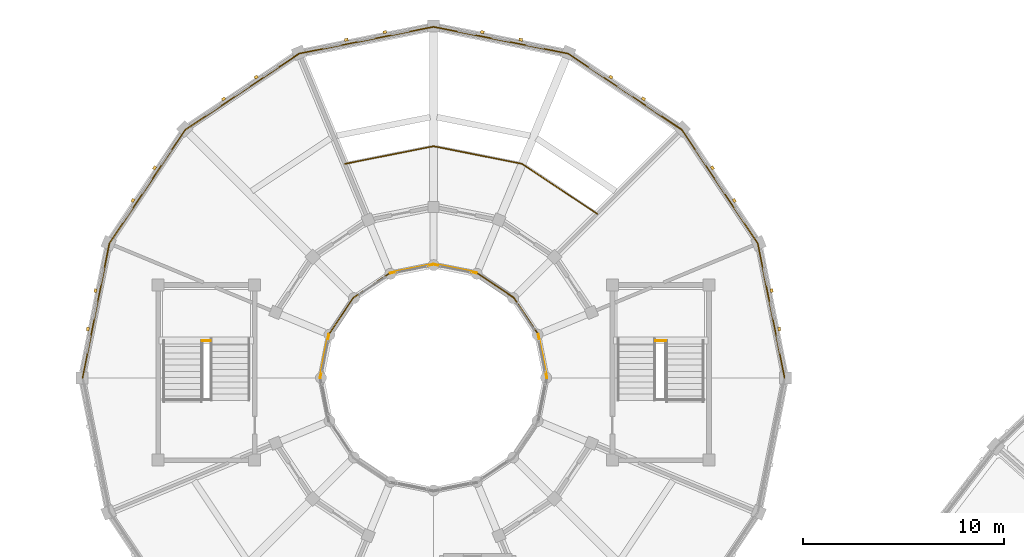
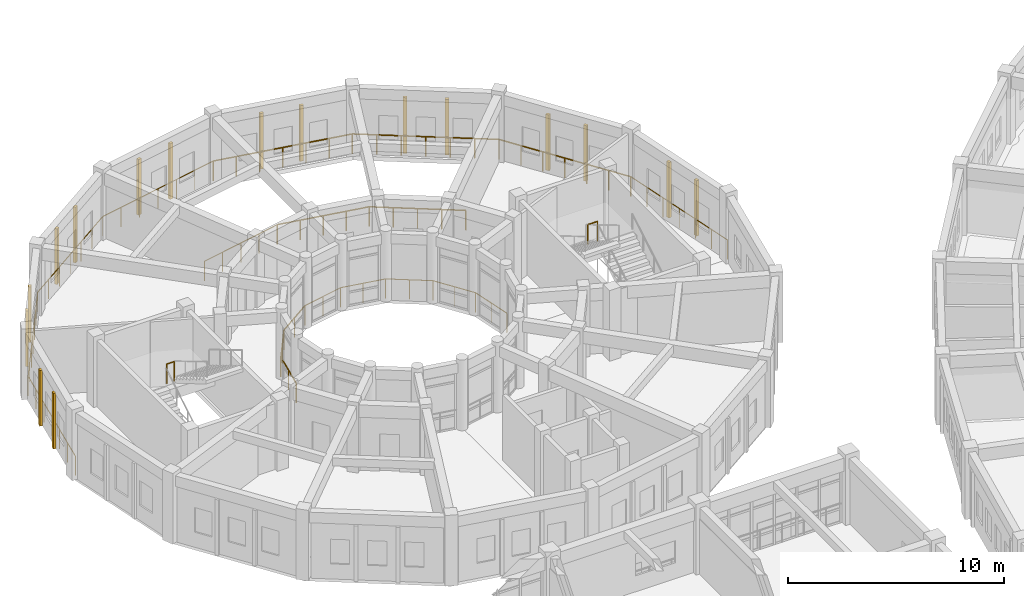
# One storey, part 150 of 159: 21 railings, 16 coverings.
"""IFC4 building model written with IfcOpenShell, lengths in metres."""

from ifc_helpers import new_model, si_unit, direction, frame, origin, origin_2d, place, context, subcontext, project, spatial, rectangle, circle, extrude, material, layer, layer_set, type_object, element, save


model = new_model("IFC4")

# Units and contexts
model_context = context("Model", 3, precision=1e-05, world=origin(), true_north=direction((0.0, 1.0)))
body_context = subcontext(model_context, "Body", "Model", "MODEL_VIEW")
ifc_project = project(units=[si_unit("LENGTHUNIT", "METRE"), si_unit("AREAUNIT", "SQUARE_METRE"), si_unit("VOLUMEUNIT", "CUBIC_METRE"), si_unit("PLANEANGLEUNIT", "RADIAN"), si_unit("MASSUNIT", "GRAM", prefix="KILO")], contexts=[model_context])

# Site, building, storey
site_placement = place(None, origin())
site = spatial("IfcSite", under=ifc_project, at=site_placement, CompositionType="ELEMENT")
building_placement = place(site_placement, origin())
building = spatial("IfcBuilding", under=site, at=building_placement, Name="Celadon Cloister-Ring School", CompositionType="ELEMENT")
storey_placement = place(building_placement, frame((0.0, 0.0, 4.5)))
storey = spatial("IfcBuildingStorey", under=building, at=storey_placement, Name="L01", CompositionType="ELEMENT", Elevation=4.5)

# Coverings
ifc_material_1 = material(Name="Perforated terracotta clay brick masonry", Category="masonry")
ifc_layer = layer(ifc_material_1, 0.139892578125)
ifc_layer_set = layer_set([ifc_layer], Name="Perforated terracotta clay brick masonry")
covering_type = type_object("IfcCoveringType", Name="CV-SC1", PredefinedType="CLADDING", material=ifc_layer_set)
for number, where, z_axis, x_axis, name in (
    (1, (37.01708984375, 101.339111328125, 0.0), (0.0, 0.0, 1.0), (0.195141675546, -0.980775064153, 0.0), "Brick Screen Rib 0470"),
    (2, (37.39794921875, 99.427001953125, 0.0), (0.0, 0.0, 1.0), (0.195141675546, -0.980775064153, 0.0), "Brick Screen Rib 0471"),
    (3, (34.075927734375, 107.444091796875, 0.0), (0.0, 0.0, 1.0), (0.55567181205, -0.831401730389, 0.0), "Brick Screen Rib 0472"),
    (4, (35.159912109375, 105.822998046875, 0.0), (0.0, 0.0, 1.0), (0.55567181205, -0.831401730389, 0.0), "Brick Screen Rib 0473"),
    (5, (29.02294921875, 111.9599609375, 0.0), (0.0, 0.0, 1.0), (0.831401730389, -0.55567181205, 0.0), "Brick Screen Rib 0474"),
    (6, (30.64404296875, 110.8759765625, 0.0), (0.0, 0.0, 1.0), (0.831401730389, -0.55567181205, 0.0), "Brick Screen Rib 0475"),
    (7, (22.626953125, 114.197998046875, 0.0), (0.0, 0.0, 1.0), (0.980775064153, -0.195141675546, 0.0), "Brick Screen Rib 0476"),
    (8, (24.5390625, 113.81689453125, 0.0), (0.0, 0.0, 1.0), (0.980775064153, -0.195141675546, 0.0), "Brick Screen Rib 0477"),
    (9, (15.861083984375, 113.81689453125, 0.0), (0.0, 0.0, 1.0), (0.980775064153, 0.195141675546, 0.0), "Brick Screen Rib 0478"),
    (10, (17.77294921875, 114.197998046875, 0.0), (0.0, 0.0, 1.0), (0.980775064153, 0.195141675546, 0.0), "Brick Screen Rib 0479"),
    (11, (9.756103515625, 110.8759765625, 0.0), (0.0, 0.0, 1.0), (0.831401730389, 0.55567181205, 0.0), "Brick Screen Rib 0480"),
    (12, (11.376953125, 111.9599609375, 0.0), (0.0, 0.0, 1.0), (0.831401730389, 0.55567181205, 0.0), "Brick Screen Rib 0481"),
    (13, (5.239990234375, 105.822998046875, 0.0), (0.0, 0.0, 1.0), (0.55567181205, 0.831401730389, 0.0), "Brick Screen Rib 0482"),
    (14, (6.323974609375, 107.444091796875, 0.0), (0.0, 0.0, 1.0), (0.55567181205, 0.831401730389, 0.0), "Brick Screen Rib 0483"),
    (15, (3.001953125, 99.427001953125, 0.0), (0.0, 0.0, 1.0), (0.195141675546, 0.980775064153, 0.0), "Brick Screen Rib 0484"),
    (16, (3.383056640625, 101.339111328125, 0.0), (0.0, 0.0, 1.0), (0.195141675546, 0.980775064153, 0.0), "Brick Screen Rib 0485"),
):
    element("IfcCovering", number, at=place(storey_placement, frame(where, z_axis=z_axis, x_axis=x_axis)), inside=storey, type_object=covering_type, Name=name, PredefinedType="CLADDING", context=body_context, shape_type="SweptSolid", body=[
        extrude(rectangle(XDim=0.179931640625, YDim=0.139892578125, at=origin_2d()), origin(), (0.0, 0.0, 1.0), 3.152099609375),
    ])

# Railings
ifc_material_2 = material(Name="Structural steel S355JR", Category="steel")
railing_type_1 = type_object("IfcRailingType", Name="RL-BL1", PredefinedType="BALUSTRADE", material=ifc_material_2)
railing_1_placement = place(storey_placement, frame((37.659912109375, 97.0, 0.0)))
element("IfcRailing", 17, at=railing_1_placement, inside=storey, type_object=railing_type_1, Name="Terrace Balustrade 0217", PredefinedType="BALUSTRADE", context=body_context, shape_type="SweptSolid", body=[
    extrude(circle(Radius=0.02392578125, at=origin_2d()), frame((0.0, 0.0, 1.09619140625), z_axis=(-0.19505472673, 0.980792360074, 0.0), x_axis=(-0.980792360074, -0.19505472673, 0.0)), (0.0, 0.0, 1.0), 6.812744140625),
    extrude(circle(Radius=0.02099609375, at=origin_2d()), origin(), (0.0, 0.0, 1.0), 1.072021484375),
    extrude(circle(Radius=0.02099609375, at=origin_2d()), frame((-0.221435546875, 1.11376953125, 0.0)), (0.0, 0.0, 1.0), 1.072021484375),
    extrude(circle(Radius=0.02099609375, at=origin_2d()), frame((-0.44287109375, 2.227294921875, 0.0)), (0.0, 0.0, 1.0), 1.072021484375),
    extrude(circle(Radius=0.02099609375, at=origin_2d()), frame((-0.66455078125, 3.3408203125, 0.0)), (0.0, 0.0, 1.0), 1.072021484375),
    extrude(circle(Radius=0.02099609375, at=origin_2d()), frame((-0.885986328125, 4.45458984375, 0.0)), (0.0, 0.0, 1.0), 1.072021484375),
    extrude(circle(Radius=0.02099609375, at=origin_2d()), frame((-1.107421875, 5.568359375, 0.0)), (0.0, 0.0, 1.0), 1.072021484375),
    extrude(circle(Radius=0.02099609375, at=origin_2d()), frame((-1.328857421875, 6.681884765625, 0.0)), (0.0, 0.0, 1.0), 1.072021484375),
])
railing_2_placement = place(storey_placement, frame((36.3310546875, 103.681884765625, 0.0)))
element("IfcRailing", 18, at=railing_2_placement, inside=storey, type_object=railing_type_1, Name="Terrace Balustrade 0218", PredefinedType="BALUSTRADE", context=body_context, shape_type="SweptSolid", body=[
    extrude(circle(Radius=0.02392578125, at=origin_2d()), frame((0.0, 0.0, 1.09619140625), z_axis=(-0.555626116577, 0.831432269387, 0.0), x_axis=(-0.831432269387, -0.555626116577, 0.0)), (0.0, 0.0, 1.0), 6.8125),
    extrude(circle(Radius=0.02099609375, at=origin_2d()), origin(), (0.0, 0.0, 1.0), 1.072021484375),
    extrude(circle(Radius=0.02099609375, at=origin_2d()), frame((-0.630859375, 0.944091796875, 0.0)), (0.0, 0.0, 1.0), 1.072021484375),
    extrude(circle(Radius=0.02099609375, at=origin_2d()), frame((-1.26171875, 1.887939453125, 0.0)), (0.0, 0.0, 1.0), 1.072021484375),
    extrude(circle(Radius=0.02099609375, at=origin_2d()), frame((-1.892578125, 2.83203125, 0.0)), (0.0, 0.0, 1.0), 1.072021484375),
    extrude(circle(Radius=0.02099609375, at=origin_2d()), frame((-2.5234375, 3.776123046875, 0.0)), (0.0, 0.0, 1.0), 1.072021484375),
    extrude(circle(Radius=0.02099609375, at=origin_2d()), frame((-3.154296875, 4.719970703125, 0.0)), (0.0, 0.0, 1.0), 1.072021484375),
    extrude(circle(Radius=0.02099609375, at=origin_2d()), frame((-3.78515625, 5.6640625, 0.0)), (0.0, 0.0, 1.0), 1.072021484375),
])
railing_3_placement = place(storey_placement, frame((32.5458984375, 109.345947265625, 0.0)))
element("IfcRailing", 19, at=railing_3_placement, inside=storey, type_object=railing_type_1, Name="Terrace Balustrade 0219", PredefinedType="BALUSTRADE", context=body_context, shape_type="SweptSolid", body=[
    extrude(circle(Radius=0.02392578125, at=origin_2d()), frame((0.0, 0.0, 1.09619140625), z_axis=(-0.831421205096, 0.555642672693, 0.0), x_axis=(-0.555642672693, -0.831421205096, 0.0)), (0.0, 0.0, 1.0), 6.812255859375),
    extrude(circle(Radius=0.02099609375, at=origin_2d()), origin(), (0.0, 0.0, 1.0), 1.072021484375),
    extrude(circle(Radius=0.02099609375, at=origin_2d()), frame((-0.94384765625, 0.630859375, 0.0)), (0.0, 0.0, 1.0), 1.072021484375),
    extrude(circle(Radius=0.02099609375, at=origin_2d()), frame((-1.887939453125, 1.26171875, 0.0)), (0.0, 0.0, 1.0), 1.072021484375),
    extrude(circle(Radius=0.02099609375, at=origin_2d()), frame((-2.83203125, 1.892578125, 0.0)), (0.0, 0.0, 1.0), 1.072021484375),
    extrude(circle(Radius=0.02099609375, at=origin_2d()), frame((-3.77587890625, 2.5234375, 0.0)), (0.0, 0.0, 1.0), 1.072021484375),
    extrude(circle(Radius=0.02099609375, at=origin_2d()), frame((-4.7197265625, 3.154296875, 0.0)), (0.0, 0.0, 1.0), 1.072021484375),
    extrude(circle(Radius=0.02099609375, at=origin_2d()), frame((-5.663818359375, 3.78515625, 0.0)), (0.0, 0.0, 1.0), 1.072021484375),
])
railing_4_placement = place(storey_placement, frame((26.882080078125, 113.131103515625, 0.0)))
element("IfcRailing", 20, at=railing_4_placement, inside=storey, type_object=railing_type_1, Name="Terrace Balustrade 0220", PredefinedType="BALUSTRADE", context=body_context, shape_type="SweptSolid", body=[
    extrude(circle(Radius=0.02392578125, at=origin_2d()), frame((0.0, 0.0, 1.09619140625), z_axis=(-0.980793723427, 0.195047871268, 0.0), x_axis=(-0.195047871268, -0.980793723427, 0.0)), (0.0, 0.0, 1.0), 6.81298828125),
    extrude(circle(Radius=0.02099609375, at=origin_2d()), origin(), (0.0, 0.0, 1.0), 1.072021484375),
    extrude(circle(Radius=0.02099609375, at=origin_2d()), frame((-1.11376953125, 0.221435546875, 0.0)), (0.0, 0.0, 1.0), 1.072021484375),
    extrude(circle(Radius=0.02099609375, at=origin_2d()), frame((-2.227294921875, 0.44287109375, 0.0)), (0.0, 0.0, 1.0), 1.072021484375),
    extrude(circle(Radius=0.02099609375, at=origin_2d()), frame((-3.341064453125, 0.66455078125, 0.0)), (0.0, 0.0, 1.0), 1.072021484375),
    extrude(circle(Radius=0.02099609375, at=origin_2d()), frame((-4.454833984375, 0.885986328125, 0.0)), (0.0, 0.0, 1.0), 1.072021484375),
    extrude(circle(Radius=0.02099609375, at=origin_2d()), frame((-5.568359375, 1.107421875, 0.0)), (0.0, 0.0, 1.0), 1.072021484375),
    extrude(circle(Radius=0.02099609375, at=origin_2d()), frame((-6.68212890625, 1.328857421875, 0.0)), (0.0, 0.0, 1.0), 1.072021484375),
])
railing_5_placement = place(storey_placement, frame((20.199951171875, 114.4599609375, 0.0)))
element("IfcRailing", 21, at=railing_5_placement, inside=storey, type_object=railing_type_1, Name="Terrace Balustrade 0221", PredefinedType="BALUSTRADE", context=body_context, shape_type="SweptSolid", body=[
    extrude(circle(Radius=0.02392578125, at=origin_2d()), frame((0.0, 0.0, 1.09619140625), z_axis=(-0.980792360074, -0.19505472673, 0.0), x_axis=(0.19505472673, -0.980792360074, 0.0)), (0.0, 0.0, 1.0), 6.812744140625),
    extrude(circle(Radius=0.02099609375, at=origin_2d()), origin(), (0.0, 0.0, 1.0), 1.072021484375),
    extrude(circle(Radius=0.02099609375, at=origin_2d()), frame((-1.11376953125, -0.221435546875, 0.0)), (0.0, 0.0, 1.0), 1.072021484375),
    extrude(circle(Radius=0.02099609375, at=origin_2d()), frame((-2.227294921875, -0.44287109375, 0.0)), (0.0, 0.0, 1.0), 1.072021484375),
    extrude(circle(Radius=0.02099609375, at=origin_2d()), frame((-3.3408203125, -0.66455078125, 0.0)), (0.0, 0.0, 1.0), 1.072021484375),
    extrude(circle(Radius=0.02099609375, at=origin_2d()), frame((-4.45458984375, -0.885986328125, 0.0)), (0.0, 0.0, 1.0), 1.072021484375),
    extrude(circle(Radius=0.02099609375, at=origin_2d()), frame((-5.568359375, -1.107421875, 0.0)), (0.0, 0.0, 1.0), 1.072021484375),
    extrude(circle(Radius=0.02099609375, at=origin_2d()), frame((-6.681884765625, -1.328857421875, 0.0)), (0.0, 0.0, 1.0), 1.072021484375),
])
railing_6_placement = place(storey_placement, frame((13.51806640625, 113.131103515625, 0.0)))
element("IfcRailing", 22, at=railing_6_placement, inside=storey, type_object=railing_type_1, Name="Terrace Balustrade 0222", PredefinedType="BALUSTRADE", context=body_context, shape_type="SweptSolid", body=[
    extrude(circle(Radius=0.02392578125, at=origin_2d()), frame((0.0, 0.0, 1.09619140625), z_axis=(-0.831432269387, -0.555626116577, 0.0), x_axis=(0.555626116577, -0.831432269387, 0.0)), (0.0, 0.0, 1.0), 6.8125),
    extrude(circle(Radius=0.02099609375, at=origin_2d()), origin(), (0.0, 0.0, 1.0), 1.072021484375),
    extrude(circle(Radius=0.02099609375, at=origin_2d()), frame((-0.944091796875, -0.630859375, 0.0)), (0.0, 0.0, 1.0), 1.072021484375),
    extrude(circle(Radius=0.02099609375, at=origin_2d()), frame((-1.887939453125, -1.26171875, 0.0)), (0.0, 0.0, 1.0), 1.072021484375),
    extrude(circle(Radius=0.02099609375, at=origin_2d()), frame((-2.83203125, -1.892578125, 0.0)), (0.0, 0.0, 1.0), 1.072021484375),
    extrude(circle(Radius=0.02099609375, at=origin_2d()), frame((-3.776123046875, -2.5234375, 0.0)), (0.0, 0.0, 1.0), 1.072021484375),
    extrude(circle(Radius=0.02099609375, at=origin_2d()), frame((-4.719970703125, -3.154296875, 0.0)), (0.0, 0.0, 1.0), 1.072021484375),
    extrude(circle(Radius=0.02099609375, at=origin_2d()), frame((-5.6640625, -3.78515625, 0.0)), (0.0, 0.0, 1.0), 1.072021484375),
])
railing_7_placement = place(storey_placement, frame((7.85400390625, 109.345947265625, 0.0)))
element("IfcRailing", 23, at=railing_7_placement, inside=storey, type_object=railing_type_1, Name="Terrace Balustrade 0223", PredefinedType="BALUSTRADE", context=body_context, shape_type="SweptSolid", body=[
    extrude(circle(Radius=0.02392578125, at=origin_2d()), frame((0.0, 0.0, 1.09619140625), z_axis=(-0.555601342036, -0.831448825081, 0.0), x_axis=(0.831448825081, -0.555601342036, 0.0)), (0.0, 0.0, 1.0), 6.812255859375),
    extrude(circle(Radius=0.02099609375, at=origin_2d()), origin(), (0.0, 0.0, 1.0), 1.072021484375),
    extrude(circle(Radius=0.02099609375, at=origin_2d()), frame((-0.630859375, -0.944091796875, 0.0)), (0.0, 0.0, 1.0), 1.072021484375),
    extrude(circle(Radius=0.02099609375, at=origin_2d()), frame((-1.26171875, -1.887939453125, 0.0)), (0.0, 0.0, 1.0), 1.072021484375),
    extrude(circle(Radius=0.02099609375, at=origin_2d()), frame((-1.892578125, -2.83203125, 0.0)), (0.0, 0.0, 1.0), 1.072021484375),
    extrude(circle(Radius=0.02099609375, at=origin_2d()), frame((-2.523193359375, -3.776123046875, 0.0)), (0.0, 0.0, 1.0), 1.072021484375),
    extrude(circle(Radius=0.02099609375, at=origin_2d()), frame((-3.154052734375, -4.719970703125, 0.0)), (0.0, 0.0, 1.0), 1.072021484375),
    extrude(circle(Radius=0.02099609375, at=origin_2d()), frame((-3.784912109375, -5.6640625, 0.0)), (0.0, 0.0, 1.0), 1.072021484375),
])
railing_8_placement = place(storey_placement, frame((4.069091796875, 103.681884765625, 0.0)))
element("IfcRailing", 24, at=railing_8_placement, inside=storey, type_object=railing_type_1, Name="Terrace Balustrade 0224", PredefinedType="BALUSTRADE", context=body_context, shape_type="SweptSolid", body=[
    extrude(circle(Radius=0.02392578125, at=origin_2d()), frame((0.0, 0.0, 1.09619140625), z_axis=(-0.19508919883, -0.980785503818, 0.0), x_axis=(0.980785503818, -0.19508919883, 0.0)), (0.0, 0.0, 1.0), 6.812744140625),
    extrude(circle(Radius=0.02099609375, at=origin_2d()), origin(), (0.0, 0.0, 1.0), 1.072021484375),
    extrude(circle(Radius=0.02099609375, at=origin_2d()), frame((-0.221435546875, -1.11376953125, 0.0)), (0.0, 0.0, 1.0), 1.072021484375),
    extrude(circle(Radius=0.02099609375, at=origin_2d()), frame((-0.443115234375, -2.227294921875, 0.0)), (0.0, 0.0, 1.0), 1.072021484375),
    extrude(circle(Radius=0.02099609375, at=origin_2d()), frame((-0.66455078125, -3.3408203125, 0.0)), (0.0, 0.0, 1.0), 1.072021484375),
    extrude(circle(Radius=0.02099609375, at=origin_2d()), frame((-0.885986328125, -4.45458984375, 0.0)), (0.0, 0.0, 1.0), 1.072021484375),
    extrude(circle(Radius=0.02099609375, at=origin_2d()), frame((-1.107666015625, -5.568359375, 0.0)), (0.0, 0.0, 1.0), 1.072021484375),
    extrude(circle(Radius=0.02099609375, at=origin_2d()), frame((-1.3291015625, -6.681884765625, 0.0)), (0.0, 0.0, 1.0), 1.072021484375),
])
railing_9_placement = place(storey_placement, frame((25.840087890625, 97.0, 0.0)))
element("IfcRailing", 25, at=railing_9_placement, inside=storey, type_object=railing_type_1, Name="Terrace Balustrade 0233", PredefinedType="BALUSTRADE", context=body_context, shape_type="SweptSolid", body=[
    extrude(circle(Radius=0.02392578125, at=origin_2d()), frame((0.0, 0.0, 1.09619140625), z_axis=(-0.19507042432, 0.980789238091, 0.0), x_axis=(-0.980789238091, -0.19507042432, 0.0)), (0.0, 0.0, 1.0), 2.2001953125),
    extrude(circle(Radius=0.02099609375, at=origin_2d()), origin(), (0.0, 0.0, 1.0), 1.072021484375),
    extrude(circle(Radius=0.02099609375, at=origin_2d()), frame((-0.214599609375, 1.0791015625, 0.0)), (0.0, 0.0, 1.0), 1.072021484375),
    extrude(circle(Radius=0.02099609375, at=origin_2d()), frame((-0.42919921875, 2.157958984375, 0.0)), (0.0, 0.0, 1.0), 1.072021484375),
])
railing_10_placement = place(storey_placement, frame((25.410888671875, 99.157958984375, 0.0)))
element("IfcRailing", 26, at=railing_10_placement, inside=storey, type_object=railing_type_1, Name="Terrace Balustrade 0234", PredefinedType="BALUSTRADE", context=body_context, shape_type="SweptSolid", body=[
    extrude(circle(Radius=0.02392578125, at=origin_2d()), frame((0.0, 0.0, 1.09619140625), z_axis=(-0.555595762933, 0.831452553193, 0.0), x_axis=(-0.831452553193, -0.555595762933, 0.0)), (0.0, 0.0, 1.0), 2.201171875),
    extrude(circle(Radius=0.02099609375, at=origin_2d()), origin(), (0.0, 0.0, 1.0), 1.072021484375),
    extrude(circle(Radius=0.02099609375, at=origin_2d()), frame((-0.611328125, 0.9150390625, 0.0)), (0.0, 0.0, 1.0), 1.072021484375),
    extrude(circle(Radius=0.02099609375, at=origin_2d()), frame((-1.222900390625, 1.830078125, 0.0)), (0.0, 0.0, 1.0), 1.072021484375),
])
railing_11_placement = place(storey_placement, frame((24.18798828125, 100.988037109375, 0.0)))
element("IfcRailing", 27, at=railing_11_placement, inside=storey, type_object=railing_type_1, Name="Terrace Balustrade 0235", PredefinedType="BALUSTRADE", context=body_context, shape_type="SweptSolid", body=[
    extrude(circle(Radius=0.02392578125, at=origin_2d()), frame((0.0, 0.0, 1.09619140625), z_axis=(-0.831452553193, 0.555595762933, 0.0), x_axis=(-0.555595762933, -0.831452553193, 0.0)), (0.0, 0.0, 1.0), 2.201171875),
    extrude(circle(Radius=0.02099609375, at=origin_2d()), origin(), (0.0, 0.0, 1.0), 1.072021484375),
    extrude(circle(Radius=0.02099609375, at=origin_2d()), frame((-0.9150390625, 0.611328125, 0.0)), (0.0, 0.0, 1.0), 1.072021484375),
    extrude(circle(Radius=0.02099609375, at=origin_2d()), frame((-1.830078125, 1.222900390625, 0.0)), (0.0, 0.0, 1.0), 1.072021484375),
])
railing_12_placement = place(storey_placement, frame((22.35791015625, 102.2109375, 0.0)))
element("IfcRailing", 28, at=railing_12_placement, inside=storey, type_object=railing_type_1, Name="Terrace Balustrade 0236", PredefinedType="BALUSTRADE", context=body_context, shape_type="SweptSolid", body=[
    extrude(circle(Radius=0.02392578125, at=origin_2d()), frame((0.0, 0.0, 1.09619140625), z_axis=(-0.980810462238, 0.194963681655, 0.0), x_axis=(-0.194963681655, -0.980810462238, 0.0)), (0.0, 0.0, 1.0), 2.2001953125),
    extrude(circle(Radius=0.02099609375, at=origin_2d()), origin(), (0.0, 0.0, 1.0), 1.072021484375),
    extrude(circle(Radius=0.02099609375, at=origin_2d()), frame((-1.0791015625, 0.21435546875, 0.0)), (0.0, 0.0, 1.0), 1.072021484375),
    extrude(circle(Radius=0.02099609375, at=origin_2d()), frame((-2.157958984375, 0.428955078125, 0.0)), (0.0, 0.0, 1.0), 1.072021484375),
])
railing_13_placement = place(storey_placement, frame((20.199951171875, 102.639892578125, 0.0)))
element("IfcRailing", 29, at=railing_13_placement, inside=storey, type_object=railing_type_1, Name="Terrace Balustrade 0237", PredefinedType="BALUSTRADE", context=body_context, shape_type="SweptSolid", body=[
    extrude(circle(Radius=0.02392578125, at=origin_2d()), frame((0.0, 0.0, 1.09619140625), z_axis=(-0.980810462238, -0.194963681655, 0.0), x_axis=(0.194963681655, -0.980810462238, 0.0)), (0.0, 0.0, 1.0), 2.2001953125),
    extrude(circle(Radius=0.02099609375, at=origin_2d()), origin(), (0.0, 0.0, 1.0), 1.072021484375),
    extrude(circle(Radius=0.02099609375, at=origin_2d()), frame((-1.0791015625, -0.21435546875, 0.0)), (0.0, 0.0, 1.0), 1.072021484375),
    extrude(circle(Radius=0.02099609375, at=origin_2d()), frame((-2.157958984375, -0.428955078125, 0.0)), (0.0, 0.0, 1.0), 1.072021484375),
])
railing_14_placement = place(storey_placement, frame((18.0419921875, 102.2109375, 0.0)))
element("IfcRailing", 30, at=railing_14_placement, inside=storey, type_object=railing_type_1, Name="Terrace Balustrade 0238", PredefinedType="BALUSTRADE", context=body_context, shape_type="SweptSolid", body=[
    extrude(circle(Radius=0.02392578125, at=origin_2d()), frame((0.0, 0.0, 1.09619140625), z_axis=(-0.831452553193, -0.555595762933, 0.0), x_axis=(0.555595762933, -0.831452553193, 0.0)), (0.0, 0.0, 1.0), 2.201171875),
    extrude(circle(Radius=0.02099609375, at=origin_2d()), origin(), (0.0, 0.0, 1.0), 1.072021484375),
    extrude(circle(Radius=0.02099609375, at=origin_2d()), frame((-0.9150390625, -0.611328125, 0.0)), (0.0, 0.0, 1.0), 1.072021484375),
    extrude(circle(Radius=0.02099609375, at=origin_2d()), frame((-1.830078125, -1.222900390625, 0.0)), (0.0, 0.0, 1.0), 1.072021484375),
])
railing_15_placement = place(storey_placement, frame((16.2119140625, 100.988037109375, 0.0)))
element("IfcRailing", 31, at=railing_15_placement, inside=storey, type_object=railing_type_1, Name="Terrace Balustrade 0239", PredefinedType="BALUSTRADE", context=body_context, shape_type="SweptSolid", body=[
    extrude(circle(Radius=0.02392578125, at=origin_2d()), frame((0.0, 0.0, 1.09619140625), z_axis=(-0.555595762933, -0.831452553193, 0.0), x_axis=(0.831452553193, -0.555595762933, 0.0)), (0.0, 0.0, 1.0), 2.201171875),
    extrude(circle(Radius=0.02099609375, at=origin_2d()), origin(), (0.0, 0.0, 1.0), 1.072021484375),
    extrude(circle(Radius=0.02099609375, at=origin_2d()), frame((-0.611328125, -0.9150390625, 0.0)), (0.0, 0.0, 1.0), 1.072021484375),
    extrude(circle(Radius=0.02099609375, at=origin_2d()), frame((-1.222900390625, -1.830078125, 0.0)), (0.0, 0.0, 1.0), 1.072021484375),
])
railing_16_placement = place(storey_placement, frame((14.989013671875, 99.157958984375, 0.0)))
element("IfcRailing", 32, at=railing_16_placement, inside=storey, type_object=railing_type_1, Name="Terrace Balustrade 0240", PredefinedType="BALUSTRADE", context=body_context, shape_type="SweptSolid", body=[
    extrude(circle(Radius=0.02392578125, at=origin_2d()), frame((0.0, 0.0, 1.09619140625), z_axis=(-0.194963681655, -0.980810462238, 0.0), x_axis=(0.980810462238, -0.194963681655, 0.0)), (0.0, 0.0, 1.0), 2.2001953125),
    extrude(circle(Radius=0.02099609375, at=origin_2d()), origin(), (0.0, 0.0, 1.0), 1.072021484375),
    extrude(circle(Radius=0.02099609375, at=origin_2d()), frame((-0.21435546875, -1.0791015625, 0.0)), (0.0, 0.0, 1.0), 1.072021484375),
    extrude(circle(Radius=0.02099609375, at=origin_2d()), frame((-0.428955078125, -2.157958984375, 0.0)), (0.0, 0.0, 1.0), 1.072021484375),
])
ifc_material_3 = material(Name="Structural steel S355JR", Category="steel")
railing_type_2 = type_object("IfcRailingType", Name="RL-BL2", PredefinedType="BALUSTRADE", material=ifc_material_3)
railing_17_placement = place(storey_placement, frame((8.699951171875, 98.85009765625, 2.0)))
element("IfcRailing", 33, at=railing_17_placement, inside=storey, type_object=railing_type_2, Name="Interior Guard 0122", PredefinedType="BALUSTRADE", context=body_context, shape_type="SweptSolid", body=[
    extrude(circle(Radius=0.02392578125, at=origin_2d()), frame((0.0, 0.0, 1.09619140625), z_axis=(1.0, 0.0, 0.0), x_axis=(0.0, 1.0, 0.0)), (0.0, 0.0, 1.0), 0.400146484375),
    extrude(circle(Radius=0.02099609375, at=origin_2d()), origin(), (0.0, 0.0, 1.0), 1.072021484375),
    extrude(circle(Radius=0.02099609375, at=origin_2d()), frame((0.400146484375, 0.0, 0.0)), (0.0, 0.0, 1.0), 1.072021484375),
])
railing_18_placement = place(storey_placement, frame((31.239990234375, 98.85009765625, 2.0)))
element("IfcRailing", 34, at=railing_18_placement, inside=storey, type_object=railing_type_2, Name="Interior Guard 0143", PredefinedType="BALUSTRADE", context=body_context, shape_type="SweptSolid", body=[
    extrude(circle(Radius=0.02392578125, at=origin_2d()), frame((0.0, 0.0, 1.09619140625), z_axis=(1.0, 0.0, 0.0), x_axis=(0.0, 1.0, 0.0)), (0.0, 0.0, 1.0), 0.52001953125),
    extrude(circle(Radius=0.02099609375, at=origin_2d()), origin(), (0.0, 0.0, 1.0), 1.072021484375),
    extrude(circle(Radius=0.02099609375, at=origin_2d()), frame((0.52001953125, 0.0, 0.0)), (0.0, 0.0, 1.0), 1.072021484375),
])
railing_19_placement = place(storey_placement, frame((28.345947265625, 105.14599609375, 0.0)))
element("IfcRailing", 35, at=railing_19_placement, inside=storey, type_object=railing_type_2, Name="Interior Guard 0299", PredefinedType="BALUSTRADE", context=body_context, shape_type="SweptSolid", body=[
    extrude(circle(Radius=0.02392578125, at=origin_2d()), frame((0.0, 0.0, 1.09619140625), z_axis=(-0.831464855053, 0.555577352681, 0.0), x_axis=(-0.555577352681, -0.831464855053, 0.0)), (0.0, 0.0, 1.0), 4.49462890625),
    extrude(circle(Radius=0.02099609375, at=origin_2d()), origin(), (0.0, 0.0, 1.0), 1.072021484375),
    extrude(circle(Radius=0.02099609375, at=origin_2d()), frame((-0.934326171875, 0.624267578125, 0.0)), (0.0, 0.0, 1.0), 1.072021484375),
    extrude(circle(Radius=0.02099609375, at=origin_2d()), frame((-1.86865234375, 1.24853515625, 0.0)), (0.0, 0.0, 1.0), 1.072021484375),
    extrude(circle(Radius=0.02099609375, at=origin_2d()), frame((-2.802734375, 1.872802734375, 0.0)), (0.0, 0.0, 1.0), 1.072021484375),
    extrude(circle(Radius=0.02099609375, at=origin_2d()), frame((-3.737060546875, 2.4970703125, 0.0)), (0.0, 0.0, 1.0), 1.072021484375),
])
railing_20_placement = place(storey_placement, frame((24.60888671875, 107.64306640625, 0.0)))
element("IfcRailing", 36, at=railing_20_placement, inside=storey, type_object=railing_type_2, Name="Interior Guard 0300", PredefinedType="BALUSTRADE", context=body_context, shape_type="SweptSolid", body=[
    extrude(circle(Radius=0.02392578125, at=origin_2d()), frame((0.0, 0.0, 1.09619140625), z_axis=(-0.980786926871, 0.195082044483, 0.0), x_axis=(-0.195082044483, -0.980786926871, 0.0)), (0.0, 0.0, 1.0), 4.495361328125),
    extrude(circle(Radius=0.02099609375, at=origin_2d()), origin(), (0.0, 0.0, 1.0), 1.072021484375),
    extrude(circle(Radius=0.02099609375, at=origin_2d()), frame((-1.102294921875, 0.21923828125, 0.0)), (0.0, 0.0, 1.0), 1.072021484375),
    extrude(circle(Radius=0.02099609375, at=origin_2d()), frame((-2.20458984375, 0.4384765625, 0.0)), (0.0, 0.0, 1.0), 1.072021484375),
    extrude(circle(Radius=0.02099609375, at=origin_2d()), frame((-3.306640625, 0.65771484375, 0.0)), (0.0, 0.0, 1.0), 1.072021484375),
    extrude(circle(Radius=0.02099609375, at=origin_2d()), frame((-4.408935546875, 0.876953125, 0.0)), (0.0, 0.0, 1.0), 1.072021484375),
])
railing_21_placement = place(storey_placement, frame((20.199951171875, 108.52001953125, 0.0)))
element("IfcRailing", 37, at=railing_21_placement, inside=storey, type_object=railing_type_2, Name="Interior Guard 0301", PredefinedType="BALUSTRADE", context=body_context, shape_type="SweptSolid", body=[
    extrude(circle(Radius=0.02392578125, at=origin_2d()), frame((0.0, 0.0, 1.09619140625), z_axis=(-0.980786926871, -0.195082044483, 0.0), x_axis=(0.195082044483, -0.980786926871, 0.0)), (0.0, 0.0, 1.0), 4.495361328125),
    extrude(circle(Radius=0.02099609375, at=origin_2d()), origin(), (0.0, 0.0, 1.0), 1.072021484375),
    extrude(circle(Radius=0.02099609375, at=origin_2d()), frame((-1.102294921875, -0.21923828125, 0.0)), (0.0, 0.0, 1.0), 1.072021484375),
    extrude(circle(Radius=0.02099609375, at=origin_2d()), frame((-2.20458984375, -0.4384765625, 0.0)), (0.0, 0.0, 1.0), 1.072021484375),
    extrude(circle(Radius=0.02099609375, at=origin_2d()), frame((-3.306640625, -0.65771484375, 0.0)), (0.0, 0.0, 1.0), 1.072021484375),
    extrude(circle(Radius=0.02099609375, at=origin_2d()), frame((-4.408935546875, -0.876953125, 0.0)), (0.0, 0.0, 1.0), 1.072021484375),
])

save(model, "model.ifc")
